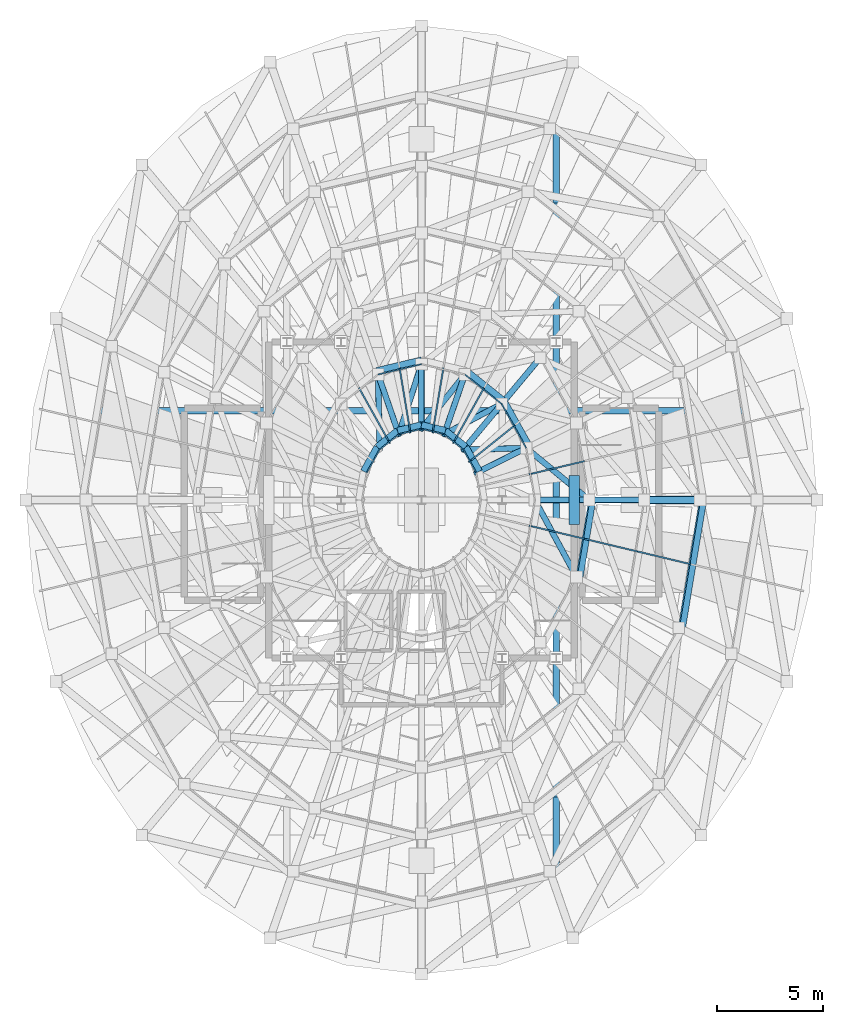
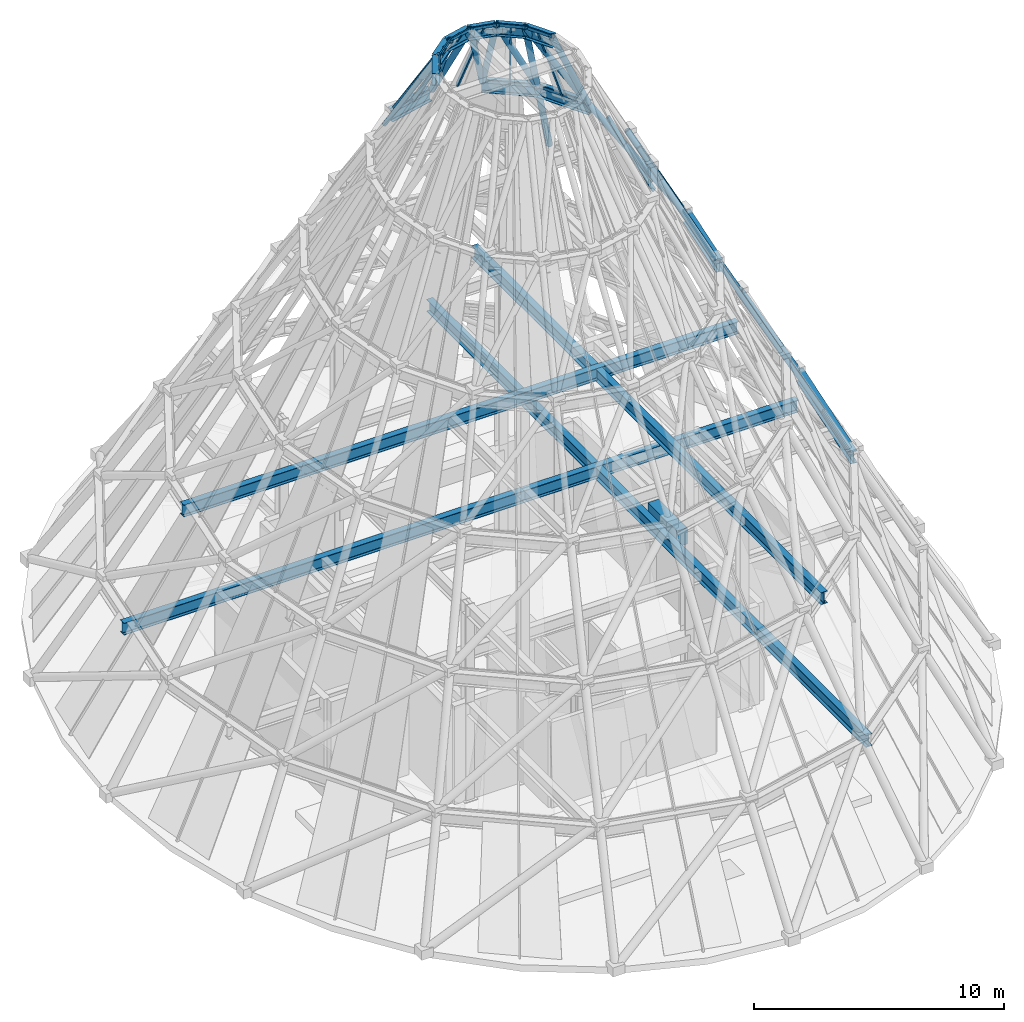
# One storey, part 7 of 16: 36 members, 16 beams, 5 elements without a shape of their own.
"""IFC4 building model written with IfcOpenShell, lengths in metres."""

from ifc_helpers import new_model, si_unit, direction, frame, origin, origin_2d, place, context, subcontext, project, spatial, rectangle, hollow_rectangle, hollow_circle, i_section, extrude, material, layer, layer_set, material_profile, profile_set, type_object, element, aggregate, save


model = new_model("IFC4")

# Units and contexts
model_context = context("Model", 3, precision=1e-05, world=origin(), true_north=direction((0.0, 1.0)))
body_context = subcontext(model_context, "Body", "Model", "MODEL_VIEW")
ifc_project = project(units=[si_unit("LENGTHUNIT", "METRE"), si_unit("AREAUNIT", "SQUARE_METRE"), si_unit("VOLUMEUNIT", "CUBIC_METRE"), si_unit("PLANEANGLEUNIT", "RADIAN"), si_unit("MASSUNIT", "GRAM", prefix="KILO")], contexts=[model_context])

# Site, building, storey
site_placement = place(None, origin())
site = spatial("IfcSite", under=ifc_project, at=site_placement, CompositionType="ELEMENT")
building_placement = place(site_placement, origin())
building = spatial("IfcBuilding", under=site, at=building_placement, Name="Veldorina Hangang Commons", CompositionType="ELEMENT")
storey_placement = place(building_placement, frame((0.0, 0.0, 308.39990234375)))
storey = spatial("IfcBuildingStorey", under=building, at=storey_placement, Name="Crown", CompositionType="ELEMENT", Elevation=308.39990234375)

# Beams
ifc_material_1 = material(Name="Concrete C50/60", Category="concrete")
ifc_material_profile_1 = material_profile(ifc_material_1, rectangle(XDim=0.5, YDim=0.800048828125, at=origin_2d()), Name="RC-CB-500x800")
ifc_profile_set_1 = profile_set([ifc_material_profile_1], Name="Concrete C50/60")
beam_type_1 = type_object("IfcBeamType", Name="BM-CB800", PredefinedType="LINTEL", material=ifc_profile_set_1)
beam_1_placement = place(storey_placement, frame((39.199951171875, 22.85009765625, 4.16015625), z_axis=(0.0, 1.0, 0.0), x_axis=(-1.0, 0.0, 0.0)))
element("IfcBeam", 1, at=beam_1_placement, inside=storey, type_object=beam_type_1, Name="Crown E core coupling lintel beam", PredefinedType="LINTEL", context=body_context, shape_type="SweptSolid", body=[
    extrude(rectangle(XDim=0.5, YDim=0.800048828125, at=origin_2d()), origin(), (0.0, 0.0, 1.0), 2.2998046875),
])
ifc_material_2 = material(Name="Steel SM460-TMC", Category="steel")
ifc_material_profile_2 = material_profile(ifc_material_2, i_section(OverallWidth=0.300048828125, OverallDepth=0.587890625, WebThickness=0.011962890625, FlangeThickness=0.02001953125, FilletRadius=0.01806640625, at=origin_2d()), Name="H-588x300x12x20")
ifc_profile_set_2 = profile_set([ifc_material_profile_2], Name="Steel SM460-TMC")
beam_type_2 = type_object("IfcBeamType", Name="BM-FG588", PredefinedType="BEAM", material=ifc_profile_set_2)
beam_2_placement = place(storey_placement, frame((38.35009765625, 6.414794921875, 4.5), z_axis=(0.0, 1.0, 0.0), x_axis=(-1.0, 0.0, 0.0)))
element("IfcBeam", 2, at=beam_2_placement, inside=storey, type_object=beam_type_2, Name="Crown tier 1 E grillage tie beam", PredefinedType="BEAM", context=body_context, shape_type="SweptSolid", body=[
    extrude(i_section(OverallWidth=0.300048828125, OverallDepth=0.587890625, WebThickness=0.011962890625, FlangeThickness=0.02001953125, FilletRadius=0.01806640625, at=origin_2d()), origin(), (0.0, 0.0, 1.0), 35.17041015625),
])
beam_3_placement = place(storey_placement, frame((16.39990234375, 28.199951171875, 4.5), z_axis=(1.0, 0.0, 0.0), x_axis=(0.0, 1.0, 0.0)))
element("IfcBeam", 3, at=beam_3_placement, inside=storey, type_object=beam_type_2, Name="Crown tier 1 N grillage tie beam", PredefinedType="BEAM", context=body_context, shape_type="SweptSolid", body=[
    extrude(i_section(OverallWidth=0.300048828125, OverallDepth=0.587890625, WebThickness=0.011962890625, FlangeThickness=0.02001953125, FilletRadius=0.01806640625, at=origin_2d()), origin(), (0.0, 0.0, 1.0), 31.2001953125),
])
beam_4_placement = place(storey_placement, frame((38.35009765625, 10.00048828125, 9.300048828125), z_axis=(0.0, 1.0, 0.0), x_axis=(-1.0, 0.0, 0.0)))
element("IfcBeam", 4, at=beam_4_placement, inside=storey, type_object=beam_type_2, Name="Crown tier 2 E grillage tie beam", PredefinedType="BEAM", context=body_context, shape_type="SweptSolid", body=[
    extrude(i_section(OverallWidth=0.300048828125, OverallDepth=0.587890625, WebThickness=0.011962890625, FlangeThickness=0.02001953125, FilletRadius=0.01806640625, at=origin_2d()), origin(), (0.0, 0.0, 1.0), 27.9990234375),
])
beam_5_placement = place(storey_placement, frame((19.174072265625, 28.199951171875, 9.300048828125), z_axis=(1.0, 0.0, 0.0), x_axis=(0.0, 1.0, 0.0)))
element("IfcBeam", 5, at=beam_5_placement, inside=storey, type_object=beam_type_2, Name="Crown tier 2 N grillage tie beam", PredefinedType="BEAM", context=body_context, shape_type="SweptSolid", body=[
    extrude(i_section(OverallWidth=0.300048828125, OverallDepth=0.587890625, WebThickness=0.011962890625, FlangeThickness=0.02001953125, FilletRadius=0.01806640625, at=origin_2d()), origin(), (0.0, 0.0, 1.0), 25.65185546875),
])
beam_6_placement = place(storey_placement, frame((44.283935546875, 17.90234375, 9.300048828125), z_axis=(0.163758445565, 0.986500467058, 0.0), x_axis=(-0.986500467058, 0.163758445565, 0.0)))
element("IfcBeam", 6, at=beam_6_placement, inside=storey, type_object=beam_type_2, Name="Crown tier 2 ring beam 15", PredefinedType="BEAM", context=body_context, shape_type="SweptSolid", body=[
    extrude(i_section(OverallWidth=0.300048828125, OverallDepth=0.587890625, WebThickness=0.011962890625, FlangeThickness=0.02001953125, FilletRadius=0.01806640625, at=origin_2d()), origin(), (0.0, 0.0, 1.0), 6.18115234375),
])
beam_7_placement = place(storey_placement, frame((39.45654296875, 20.298583984375, 18.900146484375), z_axis=(0.163713087297, 0.98650799543, 0.0), x_axis=(-0.98650799543, 0.163713087297, 0.0)))
element("IfcBeam", 7, at=beam_7_placement, inside=storey, type_object=beam_type_2, Name="Crown tier 4 ring beam 15", PredefinedType="BEAM", context=body_context, shape_type="SweptSolid", body=[
    extrude(i_section(OverallWidth=0.300048828125, OverallDepth=0.587890625, WebThickness=0.011962890625, FlangeThickness=0.02001953125, FilletRadius=0.01806640625, at=origin_2d()), origin(), (0.0, 0.0, 1.0), 3.751953125),
])
beam_8_placement = place(storey_placement, frame((37.08447265625, 26.523681640625, 23.7001953125), z_axis=(-0.487021535695, 0.873389960882, 0.0), x_axis=(-0.873389960882, -0.487021535695, 0.0)))
element("IfcBeam", 8, at=beam_8_placement, inside=storey, type_object=beam_type_2, Name="Crown tier 5 ring beam 01", PredefinedType="BEAM", context=body_context, shape_type="SweptSolid", body=[
    extrude(i_section(OverallWidth=0.300048828125, OverallDepth=0.587890625, WebThickness=0.011962890625, FlangeThickness=0.02001953125, FilletRadius=0.01806640625, at=origin_2d()), origin(), (0.0, 0.0, 1.0), 2.44970703125),
])
beam_9_placement = place(storey_placement, frame((35.891357421875, 28.663330078125, 23.7001953125), z_axis=(-0.780577146604, 0.625059451732, 0.0), x_axis=(-0.625059451732, -0.780577146604, 0.0)))
element("IfcBeam", 9, at=beam_9_placement, inside=storey, type_object=beam_type_2, Name="Crown tier 5 ring beam 02", PredefinedType="BEAM", context=body_context, shape_type="SweptSolid", body=[
    extrude(i_section(OverallWidth=0.300048828125, OverallDepth=0.587890625, WebThickness=0.011962890625, FlangeThickness=0.02001953125, FilletRadius=0.01806640625, at=origin_2d()), origin(), (0.0, 0.0, 1.0), 2.287353515625),
])
beam_10_placement = place(storey_placement, frame((32.0, 30.59521484375, 23.7001953125), z_axis=(-0.972725088951, -0.231960990954, 0.0), x_axis=(0.231960990954, -0.972725088951, 0.0)))
element("IfcBeam", 10, at=beam_10_placement, inside=storey, type_object=beam_type_2, Name="Crown tier 5 ring beam 04", PredefinedType="BEAM", context=body_context, shape_type="SweptSolid", body=[
    extrude(i_section(OverallWidth=0.300048828125, OverallDepth=0.587890625, WebThickness=0.011962890625, FlangeThickness=0.02001953125, FilletRadius=0.01806640625, at=origin_2d()), origin(), (0.0, 0.0, 1.0), 2.1650390625),
])
beam_11_placement = place(storey_placement, frame((34.731689453125, 25.35595703125, 28.5), z_axis=(-0.487122733864, 0.873333522861, 0.0), x_axis=(-0.873333522861, -0.487122733864, 0.0)))
element("IfcBeam", 11, at=beam_11_placement, inside=storey, type_object=beam_type_2, Name="Crown tier 6 ring beam 01", PredefinedType="BEAM", context=body_context, shape_type="SweptSolid", body=[
    extrude(i_section(OverallWidth=0.300048828125, OverallDepth=0.587890625, WebThickness=0.011962890625, FlangeThickness=0.02001953125, FilletRadius=0.01806640625, at=origin_2d()), origin(), (0.0, 0.0, 1.0), 1.316162109375),
])
beam_12_placement = place(storey_placement, frame((34.090576171875, 26.50537109375, 28.5), z_axis=(-0.780519739347, 0.625131135434, 0.0), x_axis=(-0.625131135434, -0.780519739347, 0.0)))
element("IfcBeam", 12, at=beam_12_placement, inside=storey, type_object=beam_type_2, Name="Crown tier 6 ring beam 02", PredefinedType="BEAM", context=body_context, shape_type="SweptSolid", body=[
    extrude(i_section(OverallWidth=0.300048828125, OverallDepth=0.587890625, WebThickness=0.011962890625, FlangeThickness=0.02001953125, FilletRadius=0.01806640625, at=origin_2d()), origin(), (0.0, 0.0, 1.0), 1.228759765625),
])
for number, where, z_axis, x_axis, name in (
    (13, (33.131591796875, 27.2734375, 28.5), (-0.972738619202, 0.231904244707, 0.0), (-0.231904244707, -0.972738619202, 0.0), "Crown tier 6 ring beam 03"),
    (14, (32.0, 27.543212890625, 28.5), (-0.972738619202, -0.231904244707, 0.0), (0.231904244707, -0.972738619202, 0.0), "Crown tier 6 ring beam 04"),
):
    element("IfcBeam", number, at=place(storey_placement, frame(where, z_axis=z_axis, x_axis=x_axis)), inside=storey, type_object=beam_type_2, Name=name, PredefinedType="BEAM", context=body_context, shape_type="SweptSolid", body=[
        extrude(i_section(OverallWidth=0.300048828125, OverallDepth=0.587890625, WebThickness=0.011962890625, FlangeThickness=0.02001953125, FilletRadius=0.01806640625, at=origin_2d()), origin(), (0.0, 0.0, 1.0), 1.163330078125),
    ])
beam_13_placement = place(storey_placement, frame((30.868408203125, 27.2734375, 28.5), z_axis=(-0.780519739347, -0.625131135434, 0.0), x_axis=(0.625131135434, -0.780519739347, 0.0)))
element("IfcBeam", 15, at=beam_13_placement, inside=storey, type_object=beam_type_2, Name="Crown tier 6 ring beam 05", PredefinedType="BEAM", context=body_context, shape_type="SweptSolid", body=[
    extrude(i_section(OverallWidth=0.300048828125, OverallDepth=0.587890625, WebThickness=0.011962890625, FlangeThickness=0.02001953125, FilletRadius=0.01806640625, at=origin_2d()), origin(), (0.0, 0.0, 1.0), 1.228759765625),
])
beam_14_placement = place(storey_placement, frame((29.909423828125, 26.50537109375, 28.5), z_axis=(-0.487122733864, -0.873333522861, 0.0), x_axis=(0.873333522861, -0.487122733864, 0.0)))
element("IfcBeam", 16, at=beam_14_placement, inside=storey, type_object=beam_type_2, Name="Crown tier 6 ring beam 06", PredefinedType="BEAM", context=body_context, shape_type="SweptSolid", body=[
    extrude(i_section(OverallWidth=0.300048828125, OverallDepth=0.587890625, WebThickness=0.011962890625, FlangeThickness=0.02001953125, FilletRadius=0.01806640625, at=origin_2d()), origin(), (0.0, 0.0, 1.0), 1.316162109375),
])

# Members
ifc_material_3 = material(Name="Steel SM355-TMC", Category="steel")
ifc_material_profile_3 = material_profile(ifc_material_3, hollow_circle(Radius=0.136474609375, WallThickness=0.011962890625, at=origin_2d()), Name="CHS-273.0x12")
ifc_profile_set_3 = profile_set([ifc_material_profile_3], Name="Steel SM355-TMC")
member_type_1 = type_object("IfcMemberType", Name="CRN-RIB273", PredefinedType="BRACE", material=ifc_profile_set_3)
member_1_placement = place(storey_placement, frame((42.5009765625, 24.0, 14.400146484375), z_axis=(-0.475150993727, 0.0, 0.879904274998), x_axis=(0.0, -1.0, 0.0)))
element("IfcMember", 17, at=member_1_placement, inside=storey, type_object=member_type_1, Name="Crown tier 4 CROWN FRAME meridian rib 00", PredefinedType="BRACE", context=body_context, shape_type="SweptSolid", body=[
    extrude(hollow_circle(Radius=0.136474609375, WallThickness=0.011962890625, at=origin_2d()), origin(), (0.0, 0.0, 1.0), 5.455078125),
])
member_2_placement = place(storey_placement, frame((39.908935546875, 24.0, 19.2001953125), z_axis=(-0.471449456036, 0.0, 0.881893083318), x_axis=(0.0, -1.0, 0.0)))
element("IfcMember", 18, at=member_2_placement, inside=storey, type_object=member_type_1, Name="Crown tier 5 CROWN FRAME meridian rib 00", PredefinedType="BRACE", context=body_context, shape_type="SweptSolid", body=[
    extrude(hollow_circle(Radius=0.136474609375, WallThickness=0.011962890625, at=origin_2d()), origin(), (0.0, 0.0, 1.0), 5.442626953125),
])
member_3_placement = place(storey_placement, frame((39.908935546875, 24.0, 19.2001953125), z_axis=(-0.483002789883, 0.398112352108, 0.779881311523), x_axis=(-0.636035963491, -0.771659415252, 0.0)))
element("IfcMember", 19, at=member_3_placement, inside=storey, type_object=member_type_1, Name="Crown tier 5 CROWN FRAME diagrid brace 00", PredefinedType="BRACE", context=body_context, shape_type="SweptSolid", body=[
    extrude(hollow_circle(Radius=0.136474609375, WallThickness=0.011962890625, at=origin_2d()), origin(), (0.0, 0.0, 1.0), 6.154541015625),
])
member_4_placement = place(storey_placement, frame((37.59228515625, 30.701904296875, 19.2001953125), z_axis=(-0.325541713887, -0.390159400333, 0.861277095278), x_axis=(0.767825394616, -0.640659163193, 0.0)))
element("IfcMember", 20, at=member_4_placement, inside=storey, type_object=member_type_1, Name="Crown tier 5 CROWN FRAME meridian rib 02", PredefinedType="BRACE", context=body_context, shape_type="SweptSolid", body=[
    extrude(hollow_circle(Radius=0.136474609375, WallThickness=0.011962890625, at=origin_2d()), origin(), (0.0, 0.0, 1.0), 5.572998046875),
])
member_5_placement = place(storey_placement, frame((39.306884765625, 20.373046875, 19.2001953125), z_axis=(-0.310321984248, 0.573115787914, 0.758444829725), x_axis=(-0.87936632406, -0.476145847519, 0.0)))
element("IfcMember", 21, at=member_5_placement, inside=storey, type_object=member_type_1, Name="Crown tier 5 CROWN FRAME diagrid brace 15", PredefinedType="BRACE", context=body_context, shape_type="SweptSolid", body=[
    extrude(hollow_circle(Radius=0.136474609375, WallThickness=0.011962890625, at=origin_2d()), origin(), (0.0, 0.0, 1.0), 6.328369140625),
])
member_6_placement = place(storey_placement, frame((36.936279296875, 26.4501953125, 24.0), z_axis=(-0.429816591841, -0.213346462374, 0.877348838474), x_axis=(0.444607847719, -0.895725327177, 0.0)))
element("IfcMember", 22, at=member_6_placement, inside=storey, type_object=member_type_1, Name="Crown tier 6 CROWN FRAME meridian rib 01", PredefinedType="BRACE", context=body_context, shape_type="SweptSolid", body=[
    extrude(hollow_circle(Radius=0.136474609375, WallThickness=0.011962890625, at=origin_2d()), origin(), (0.0, 0.0, 1.0), 5.47119140625),
])
member_7_placement = place(storey_placement, frame((36.936279296875, 26.4501953125, 24.0), z_axis=(-0.524607943054, -0.014114235325, 0.851226934751), x_axis=(0.026894617268, -0.999638274358, 0.0)))
element("IfcMember", 23, at=member_7_placement, inside=storey, type_object=member_type_1, Name="Crown tier 6 CROWN FRAME diagrid brace 01", PredefinedType="BRACE", context=body_context, shape_type="SweptSolid", body=[
    extrude(hollow_circle(Radius=0.136474609375, WallThickness=0.011962890625, at=origin_2d()), origin(), (0.0, 0.0, 1.0), 5.638916015625),
])
member_8_placement = place(storey_placement, frame((35.778076171875, 28.527587890625, 24.0), z_axis=(-0.323647112636, -0.387823442308, 0.863044334944), x_axis=(0.767772338623, -0.640722745067, 0.0)))
element("IfcMember", 24, at=member_8_placement, inside=storey, type_object=member_type_1, Name="Crown tier 6 CROWN FRAME meridian rib 02", PredefinedType="BRACE", context=body_context, shape_type="SweptSolid", body=[
    extrude(hollow_circle(Radius=0.136474609375, WallThickness=0.011962890625, at=origin_2d()), origin(), (0.0, 0.0, 1.0), 5.561767578125),
])
member_9_placement = place(storey_placement, frame((35.778076171875, 28.527587890625, 24.0), z_axis=(-0.475541378496, -0.251192190733, 0.843067542165), x_axis=(0.467066931104, -0.884221964141, 0.0)))
element("IfcMember", 25, at=member_9_placement, inside=storey, type_object=member_type_1, Name="Crown tier 6 CROWN FRAME diagrid brace 02", PredefinedType="BRACE", context=body_context, shape_type="SweptSolid", body=[
    extrude(hollow_circle(Radius=0.136474609375, WallThickness=0.011962890625, at=origin_2d()), origin(), (0.0, 0.0, 1.0), 5.693603515625),
])
member_10_placement = place(storey_placement, frame((34.044677734375, 29.91552734375, 24.0), z_axis=(-0.172387447674, -0.49871386178, 0.849451029755), x_axis=(0.94512908195, -0.326697135665, 0.0)))
element("IfcMember", 26, at=member_10_placement, inside=storey, type_object=member_type_1, Name="Crown tier 6 CROWN FRAME meridian rib 03", PredefinedType="BRACE", context=body_context, shape_type="SweptSolid", body=[
    extrude(hollow_circle(Radius=0.136474609375, WallThickness=0.011962890625, at=origin_2d()), origin(), (0.0, 0.0, 1.0), 5.65087890625),
])
member_11_placement = place(storey_placement, frame((34.044677734375, 29.91552734375, 24.0), z_axis=(-0.351746858528, -0.440912062188, 0.825754625136), x_axis=(0.781718060502, -0.623632001973, 0.0)))
element("IfcMember", 27, at=member_11_placement, inside=storey, type_object=member_type_1, Name="Crown tier 6 CROWN FRAME diagrid brace 03", PredefinedType="BRACE", context=body_context, shape_type="SweptSolid", body=[
    extrude(hollow_circle(Radius=0.136474609375, WallThickness=0.011962890625, at=origin_2d()), origin(), (0.0, 0.0, 1.0), 5.81298828125),
])
member_12_placement = place(storey_placement, frame((32.0, 30.40283203125, 24.0), z_axis=(0.0, -0.536339291978, 0.84400246675), x_axis=(1.0, 0.0, 0.0)))
element("IfcMember", 28, at=member_12_placement, inside=storey, type_object=member_type_1, Name="Crown tier 6 CROWN FRAME meridian rib 04", PredefinedType="BRACE", context=body_context, shape_type="SweptSolid", body=[
    extrude(hollow_circle(Radius=0.136474609375, WallThickness=0.011962890625, at=origin_2d()), origin(), (0.0, 0.0, 1.0), 5.687255859375),
])
member_13_placement = place(storey_placement, frame((32.0, 30.40283203125, 24.0), z_axis=(-0.180667332523, -0.557823264544, 0.810057109402), x_axis=(0.951347021281, -0.308121477828, 0.0)))
element("IfcMember", 29, at=member_13_placement, inside=storey, type_object=member_type_1, Name="Crown tier 6 CROWN FRAME diagrid brace 04", PredefinedType="BRACE", context=body_context, shape_type="SweptSolid", body=[
    extrude(hollow_circle(Radius=0.136474609375, WallThickness=0.011962890625, at=origin_2d()), origin(), (0.0, 0.0, 1.0), 5.925537109375),
])
member_14_placement = place(storey_placement, frame((29.955322265625, 29.91552734375, 24.0), z_axis=(0.172387447674, -0.49871386178, 0.849451029755), x_axis=(0.94512908195, 0.326697135665, 0.0)))
element("IfcMember", 30, at=member_14_placement, inside=storey, type_object=member_type_1, Name="Crown tier 6 CROWN FRAME meridian rib 05", PredefinedType="BRACE", context=body_context, shape_type="SweptSolid", body=[
    extrude(hollow_circle(Radius=0.136474609375, WallThickness=0.011962890625, at=origin_2d()), origin(), (0.0, 0.0, 1.0), 5.65087890625),
])
member_15_placement = place(storey_placement, frame((29.955322265625, 29.91552734375, 24.0), z_axis=(0.011168845525, -0.594035300431, 0.804361435383), x_axis=(0.999823295772, 0.018798330561, 0.0)))
element("IfcMember", 31, at=member_15_placement, inside=storey, type_object=member_type_1, Name="Crown tier 6 CROWN FRAME diagrid brace 05", PredefinedType="BRACE", context=body_context, shape_type="SweptSolid", body=[
    extrude(hollow_circle(Radius=0.136474609375, WallThickness=0.011962890625, at=origin_2d()), origin(), (0.0, 0.0, 1.0), 5.967529296875),
])
ifc_material_profile_4 = material_profile(ifc_material_3, hollow_circle(Radius=0.177734375, WallThickness=0.01611328125, at=origin_2d()), Name="CHS-355.6x16")
ifc_profile_set_4 = profile_set([ifc_material_profile_4], Name="Steel SM355-TMC")
member_type_2 = type_object("IfcMemberType", Name="CRN-RIB355", PredefinedType="BRACE", material=ifc_profile_set_4)
member_16_placement = place(storey_placement, frame((45.12841796875, 24.0, 9.60009765625), z_axis=(-0.480151990827, 0.0, 0.877185308646), x_axis=(0.0, -1.0, 0.0)))
element("IfcMember", 32, at=member_16_placement, inside=storey, type_object=member_type_2, Name="Crown tier 3 CROWN FRAME meridian rib 00", PredefinedType="BRACE", context=body_context, shape_type="SweptSolid", body=[
    extrude(hollow_circle(Radius=0.177734375, WallThickness=0.01611328125, at=origin_2d()), origin(), (0.0, 0.0, 1.0), 5.47216796875),
])

# Curtain wall, member
ifc_material_4 = material(Name="Glass Low-Iron Laminated", Category="glass")
ifc_layer = layer(ifc_material_4, 0.179931640625)
ifc_layer_set = layer_set([ifc_layer], Name="Glass Low-Iron Laminated")
curtain_wall_type = type_object("IfcCurtainWallType", Name="CW-SYS-CRN", PredefinedType="NOTDEFINED", material=ifc_layer_set)
curtain_wall_1_placement = place(storey_placement, origin())
curtain_wall_1 = element("IfcCurtainWall", 33, at=curtain_wall_1_placement, inside=storey, type_object=curtain_wall_type, Name="Crown glass-point sloped pyramidal curtain wall tier 3", PredefinedType="NOTDEFINED")
ifc_material_5 = material(Name="Aluminium Anodized AA6063-T6", Category="aluminium")
ifc_material_profile_5 = material_profile(ifc_material_5, hollow_rectangle(XDim=0.070068359375, YDim=0.179931640625, WallThickness=0.00390625, at=origin_2d()), Name="ALU-RHS-180x70x4")
ifc_profile_set_5 = profile_set([ifc_material_profile_5], Name="Aluminium Anodized AA6063-T6")
member_type_3 = type_object("IfcMemberType", Name="CW-MUL-180", PredefinedType="MULLION", material=ifc_profile_set_5)
member_17_placement = place(storey_placement, frame((44.628662109375, 20.989501953125, 9.60009765625), z_axis=(-0.463043570632, 0.110393308764, 0.879433891248), x_axis=(-0.231908464941, -0.972737613074, 0.0)))
member_17 = element("IfcMember", 34, at=member_17_placement, type_object=member_type_3, Name="CW-CRN-T3 sloped mid-facet mullion 16", PredefinedType="MULLION", context=body_context, shape_type="SweptSolid", body=[
    extrude(hollow_rectangle(XDim=0.070068359375, YDim=0.179931640625, WallThickness=0.00390625, at=origin_2d()), origin(), (0.0, 0.0, 1.0), 5.4580078125),
])
aggregate(curtain_wall_1, [member_17])

curtain_wall_2_placement = place(storey_placement, origin())
curtain_wall_2 = element("IfcCurtainWall", 35, at=curtain_wall_2_placement, inside=storey, type_object=curtain_wall_type, Name="Crown glass-point sloped pyramidal curtain wall tier 4", PredefinedType="NOTDEFINED")
member_18_placement = place(storey_placement, frame((42.101318359375, 21.592041015625, 14.400146484375), z_axis=(-0.458212699142, 0.109247813807, 0.882103189839), x_axis=(-0.231920966436, -0.972734632532, 0.0)))
member_18 = element("IfcMember", 36, at=member_18_placement, type_object=member_type_3, Name="CW-CRN-T4 sloped mid-facet mullion 16", PredefinedType="MULLION", context=body_context, shape_type="SweptSolid", body=[
    extrude(hollow_rectangle(XDim=0.070068359375, YDim=0.179931640625, WallThickness=0.00390625, at=origin_2d()), origin(), (0.0, 0.0, 1.0), 5.441650390625),
])

# Curtain wall, members
curtain_wall_3_placement = place(storey_placement, origin())
curtain_wall_3 = element("IfcCurtainWall", 37, at=curtain_wall_3_placement, inside=storey, type_object=curtain_wall_type, Name="Crown glass-point sloped pyramidal curtain wall tier 5", PredefinedType="NOTDEFINED")
member_19_placement = place(storey_placement, frame((39.60791015625, 25.8134765625, 19.2001953125), z_axis=(-0.454659597995, -0.108370055501, 0.88404783865), x_axis=(0.231858973426, -0.972749410918, 0.0)))
member_19 = element("IfcMember", 38, at=member_19_placement, type_object=member_type_3, Name="CW-CRN-T5 sloped mid-facet mullion 1", PredefinedType="MULLION", context=body_context, shape_type="SweptSolid", body=[
    extrude(hollow_rectangle(XDim=0.070068359375, YDim=0.179931640625, WallThickness=0.00390625, at=origin_2d()), origin(), (0.0, 0.0, 1.0), 5.429443359375),
])
member_20_placement = place(storey_placement, frame((39.60791015625, 22.1865234375, 19.2001953125), z_axis=(-0.454659597995, 0.108370055501, 0.88404783865), x_axis=(-0.231858973426, -0.972749410918, 0.0)))
member_20 = element("IfcMember", 39, at=member_20_placement, type_object=member_type_3, Name="CW-CRN-T5 sloped mid-facet mullion 16", PredefinedType="MULLION", context=body_context, shape_type="SweptSolid", body=[
    extrude(hollow_rectangle(XDim=0.070068359375, YDim=0.179931640625, WallThickness=0.00390625, at=origin_2d()), origin(), (0.0, 0.0, 1.0), 5.429443359375),
])

curtain_wall_4_placement = place(storey_placement, origin())
curtain_wall_4 = element("IfcCurtainWall", 40, at=curtain_wall_4_placement, inside=storey, type_object=curtain_wall_type, Name="Crown glass-point sloped pyramidal curtain wall tier 6", PredefinedType="NOTDEFINED")
member_21_placement = place(storey_placement, frame((36.357177734375, 27.489013671875, 24.0), z_axis=(-0.378263710476, -0.302895711706, 0.874740391869), x_axis=(0.625053270909, -0.780582095956, 0.0)))
member_21 = element("IfcMember", 41, at=member_21_placement, type_object=member_type_3, Name="CW-CRN-T6 sloped mid-facet mullion 2", PredefinedType="MULLION", context=body_context, shape_type="SweptSolid", body=[
    extrude(hollow_rectangle(XDim=0.070068359375, YDim=0.179931640625, WallThickness=0.00390625, at=origin_2d()), origin(), (0.0, 0.0, 1.0), 5.4873046875),
])
member_22_placement = place(storey_placement, frame((34.911376953125, 29.221435546875, 24.0), z_axis=(-0.248497278817, -0.445685402898, 0.860007920931), x_axis=(0.87341225589, -0.486981551253, 0.0)))
member_22 = element("IfcMember", 42, at=member_22_placement, type_object=member_type_3, Name="CW-CRN-T6 sloped mid-facet mullion 3", PredefinedType="MULLION", context=body_context, shape_type="SweptSolid", body=[
    extrude(hollow_rectangle(XDim=0.070068359375, YDim=0.179931640625, WallThickness=0.00390625, at=origin_2d()), origin(), (0.0, 0.0, 1.0), 5.581298828125),
])
member_23_placement = place(storey_placement, frame((33.022216796875, 30.1591796875, 24.0), z_axis=(-0.086209159399, -0.519632841933, 0.850029229157), x_axis=(0.986515662512, -0.163666880027, 0.0)))
member_23 = element("IfcMember", 43, at=member_23_placement, type_object=member_type_3, Name="CW-CRN-T6 sloped mid-facet mullion 4", PredefinedType="MULLION", context=body_context, shape_type="SweptSolid", body=[
    extrude(hollow_rectangle(XDim=0.070068359375, YDim=0.179931640625, WallThickness=0.00390625, at=origin_2d()), origin(), (0.0, 0.0, 1.0), 5.64697265625),
])
member_24_placement = place(storey_placement, frame((30.977783203125, 30.1591796875, 24.0), z_axis=(0.086209159399, -0.519632841933, 0.850029229157), x_axis=(0.986515662512, 0.163666880027, 0.0)))
member_24 = element("IfcMember", 44, at=member_24_placement, type_object=member_type_3, Name="CW-CRN-T6 sloped mid-facet mullion 5", PredefinedType="MULLION", context=body_context, shape_type="SweptSolid", body=[
    extrude(hollow_rectangle(XDim=0.070068359375, YDim=0.179931640625, WallThickness=0.00390625, at=origin_2d()), origin(), (0.0, 0.0, 1.0), 5.64697265625),
])
member_25_placement = place(storey_placement, frame((29.088623046875, 29.221435546875, 24.0), z_axis=(0.248497278817, -0.445685402898, 0.860007920931), x_axis=(0.87341225589, 0.486981551253, 0.0)))
member_25 = element("IfcMember", 45, at=member_25_placement, type_object=member_type_3, Name="CW-CRN-T6 sloped mid-facet mullion 6", PredefinedType="MULLION", context=body_context, shape_type="SweptSolid", body=[
    extrude(hollow_rectangle(XDim=0.070068359375, YDim=0.179931640625, WallThickness=0.00390625, at=origin_2d()), origin(), (0.0, 0.0, 1.0), 5.581298828125),
])

# Curtain wall, member
curtain_wall_5_placement = place(storey_placement, origin())
curtain_wall_5 = element("IfcCurtainWall", 46, at=curtain_wall_5_placement, inside=storey, type_object=curtain_wall_type, Name="Crown glass-point sloped pyramidal curtain wall tier 2", PredefinedType="NOTDEFINED")
ifc_material_profile_6 = material_profile(ifc_material_5, hollow_rectangle(XDim=0.06005859375, YDim=0.139892578125, WallThickness=0.00341796875, at=origin_2d()), Name="ALU-RHS-140x60x3.5")
ifc_profile_set_6 = profile_set([ifc_material_profile_6], Name="Aluminium Anodized AA6063-T6")
member_type_4 = type_object("IfcMemberType", Name="CW-TRN-140", PredefinedType="USERDEFINED", material=ifc_profile_set_6)
member_26_placement = place(storey_placement, frame((44.129150390625, 17.979248046875, 9.60009765625), z_axis=(0.16373079742, 0.986505056235, 0.0), x_axis=(-0.986505056235, 0.16373079742, 0.0)))
member_26 = element("IfcMember", 47, at=member_26_placement, type_object=member_type_4, Name="CW-CRN-T2 horizontal ring transom 16", ObjectType="TRANSOM", PredefinedType="USERDEFINED", context=body_context, shape_type="SweptSolid", body=[
    extrude(hollow_rectangle(XDim=0.06005859375, YDim=0.139892578125, WallThickness=0.00341796875, at=origin_2d()), origin(), (0.0, 0.0, 1.0), 6.10302734375),
])
aggregate(curtain_wall_5, [member_26])

# Member
member_27_placement = place(storey_placement, frame((39.306884765625, 20.373046875, 19.2001953125), z_axis=(0.163752856727, 0.986501394785, 0.0), x_axis=(-0.986501394785, 0.163752856727, 0.0)))
member_27 = element("IfcMember", 48, at=member_27_placement, type_object=member_type_4, Name="CW-CRN-T4 horizontal ring transom 16", ObjectType="TRANSOM", PredefinedType="USERDEFINED", context=body_context, shape_type="SweptSolid", body=[
    extrude(hollow_rectangle(XDim=0.06005859375, YDim=0.139892578125, WallThickness=0.00341796875, at=origin_2d()), origin(), (0.0, 0.0, 1.0), 3.676513671875),
])

aggregate(curtain_wall_2, [member_18, member_27])

member_28_placement = place(storey_placement, frame((36.936279296875, 26.4501953125, 24.0), z_axis=(-0.486958395627, 0.873425166187, 0.0), x_axis=(-0.873425166187, -0.486958395627, 0.0)))
member_28 = element("IfcMember", 49, at=member_28_placement, type_object=member_type_4, Name="CW-CRN-T5 horizontal ring transom 2", ObjectType="TRANSOM", PredefinedType="USERDEFINED", context=body_context, shape_type="SweptSolid", body=[
    extrude(hollow_rectangle(XDim=0.06005859375, YDim=0.139892578125, WallThickness=0.00341796875, at=origin_2d()), origin(), (0.0, 0.0, 1.0), 2.37841796875),
])

member_29_placement = place(storey_placement, frame((35.778076171875, 28.527587890625, 24.0), z_axis=(-0.780600582028, 0.625030184342, 0.0), x_axis=(-0.625030184342, -0.780600582028, 0.0)))
member_29 = element("IfcMember", 50, at=member_29_placement, type_object=member_type_4, Name="CW-CRN-T5 horizontal ring transom 3", ObjectType="TRANSOM", PredefinedType="USERDEFINED", context=body_context, shape_type="SweptSolid", body=[
    extrude(hollow_rectangle(XDim=0.06005859375, YDim=0.139892578125, WallThickness=0.00341796875, at=origin_2d()), origin(), (0.0, 0.0, 1.0), 2.220703125),
])

member_30_placement = place(storey_placement, frame((32.0, 30.40283203125, 24.0), z_axis=(-0.972755095045, -0.231835124741, 0.0), x_axis=(0.231835124741, -0.972755095045, 0.0)))
member_30 = element("IfcMember", 51, at=member_30_placement, type_object=member_type_4, Name="CW-CRN-T5 horizontal ring transom 5", ObjectType="TRANSOM", PredefinedType="USERDEFINED", context=body_context, shape_type="SweptSolid", body=[
    extrude(hollow_rectangle(XDim=0.06005859375, YDim=0.139892578125, WallThickness=0.00341796875, at=origin_2d()), origin(), (0.0, 0.0, 1.0), 2.10205078125),
])

aggregate(curtain_wall_3, [member_19, member_28, member_29, member_30, member_20])

member_31_placement = place(storey_placement, frame((34.584716796875, 25.282958984375, 28.800048828125), z_axis=(-0.487140200596, 0.873323780143, 0.0), x_axis=(-0.873323780143, -0.487140200596, 0.0)))
member_31 = element("IfcMember", 52, at=member_31_placement, type_object=member_type_4, Name="CW-CRN-T6 horizontal ring transom 2", ObjectType="TRANSOM", PredefinedType="USERDEFINED", context=body_context, shape_type="SweptSolid", body=[
    extrude(hollow_rectangle(XDim=0.06005859375, YDim=0.139892578125, WallThickness=0.00341796875, at=origin_2d()), origin(), (0.0, 0.0, 1.0), 1.245361328125),
])

member_32_placement = place(storey_placement, frame((33.97802734375, 26.37060546875, 28.800048828125), z_axis=(-0.780520417532, 0.625130288672, 0.0), x_axis=(-0.625130288672, -0.780520417532, 0.0)))
member_32 = element("IfcMember", 53, at=member_32_placement, type_object=member_type_4, Name="CW-CRN-T6 horizontal ring transom 3", ObjectType="TRANSOM", PredefinedType="USERDEFINED", context=body_context, shape_type="SweptSolid", body=[
    extrude(hollow_rectangle(XDim=0.06005859375, YDim=0.139892578125, WallThickness=0.00341796875, at=origin_2d()), origin(), (0.0, 0.0, 1.0), 1.16259765625),
])

member_33_placement = place(storey_placement, frame((33.070556640625, 27.097412109375, 28.800048828125), z_axis=(-0.972758589469, 0.231820462028, 0.0), x_axis=(-0.231820462028, -0.972758589469, 0.0)))
member_33 = element("IfcMember", 54, at=member_33_placement, type_object=member_type_4, Name="CW-CRN-T6 horizontal ring transom 4", ObjectType="TRANSOM", PredefinedType="USERDEFINED", context=body_context, shape_type="SweptSolid", body=[
    extrude(hollow_rectangle(XDim=0.06005859375, YDim=0.139892578125, WallThickness=0.00341796875, at=origin_2d()), origin(), (0.0, 0.0, 1.0), 1.1005859375),
])

member_34_placement = place(storey_placement, frame((32.0, 27.3525390625, 28.800048828125), z_axis=(-0.972758589469, -0.231820462028, 0.0), x_axis=(0.231820462028, -0.972758589469, 0.0)))
member_34 = element("IfcMember", 55, at=member_34_placement, type_object=member_type_4, Name="CW-CRN-T6 horizontal ring transom 5", ObjectType="TRANSOM", PredefinedType="USERDEFINED", context=body_context, shape_type="SweptSolid", body=[
    extrude(hollow_rectangle(XDim=0.06005859375, YDim=0.139892578125, WallThickness=0.00341796875, at=origin_2d()), origin(), (0.0, 0.0, 1.0), 1.1005859375),
])

member_35_placement = place(storey_placement, frame((30.929443359375, 27.097412109375, 28.800048828125), z_axis=(-0.780520417532, -0.625130288672, 0.0), x_axis=(0.625130288672, -0.780520417532, 0.0)))
member_35 = element("IfcMember", 56, at=member_35_placement, type_object=member_type_4, Name="CW-CRN-T6 horizontal ring transom 6", ObjectType="TRANSOM", PredefinedType="USERDEFINED", context=body_context, shape_type="SweptSolid", body=[
    extrude(hollow_rectangle(XDim=0.06005859375, YDim=0.139892578125, WallThickness=0.00341796875, at=origin_2d()), origin(), (0.0, 0.0, 1.0), 1.16259765625),
])

member_36_placement = place(storey_placement, frame((30.02197265625, 26.37060546875, 28.800048828125), z_axis=(-0.487140200596, -0.873323780143, 0.0), x_axis=(0.873323780143, -0.487140200596, 0.0)))
member_36 = element("IfcMember", 57, at=member_36_placement, type_object=member_type_4, Name="CW-CRN-T6 horizontal ring transom 7", ObjectType="TRANSOM", PredefinedType="USERDEFINED", context=body_context, shape_type="SweptSolid", body=[
    extrude(hollow_rectangle(XDim=0.06005859375, YDim=0.139892578125, WallThickness=0.00341796875, at=origin_2d()), origin(), (0.0, 0.0, 1.0), 1.245361328125),
])

aggregate(curtain_wall_4, [member_21, member_31, member_22, member_32, member_23, member_33, member_24, member_34, member_25, member_35, member_36])

save(model, "model.ifc")
